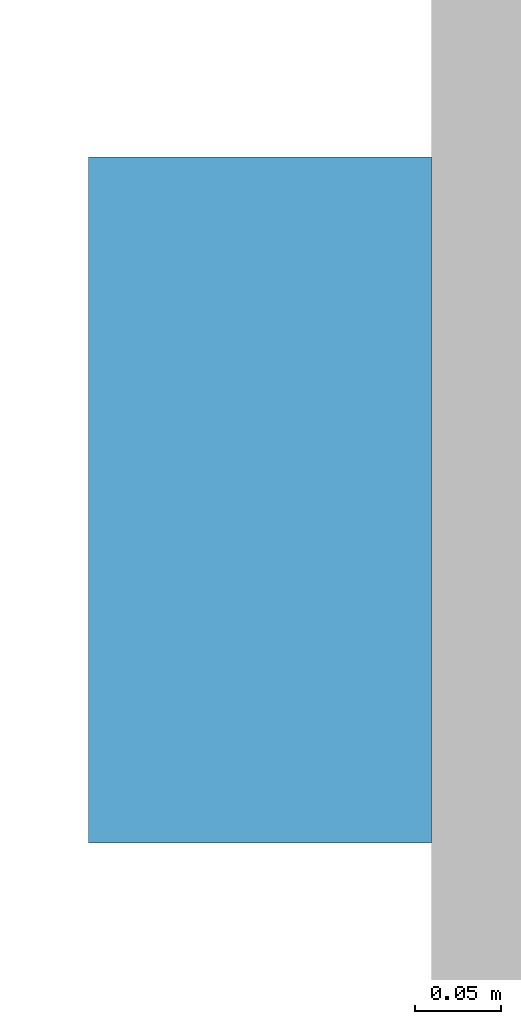
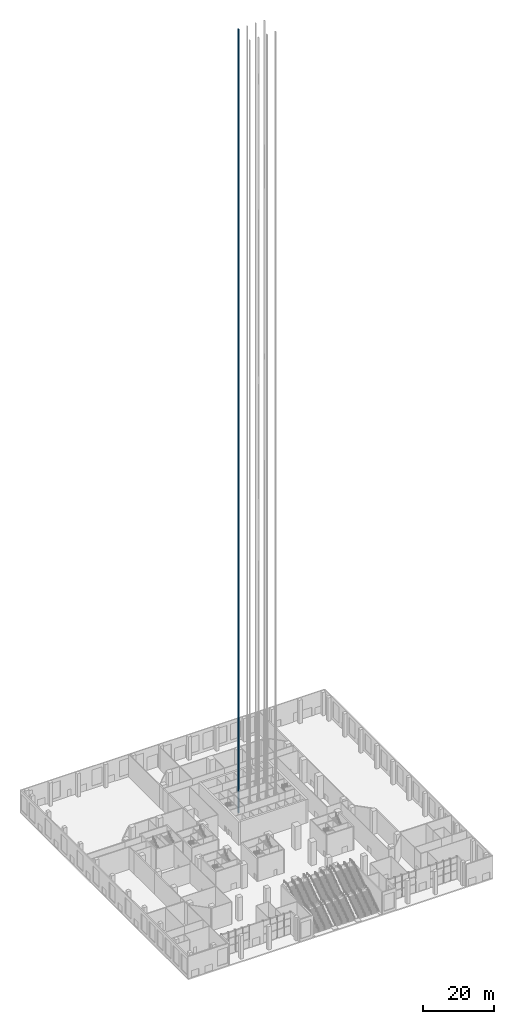
# One storey, part 23 of 32: 1 discrete accessory.
"""IFC4 building model written with IfcOpenShell, lengths in metres."""

from ifc_helpers import new_model, si_unit, direction, frame, origin, origin_2d, place, context, subcontext, project, spatial, rectangle, extrude, material, element, save


model = new_model("IFC4")

# Units and contexts
model_context = context("Model", 3, precision=1e-05, world=origin(), true_north=direction((0.0, 1.0)))
body_context = subcontext(model_context, "Body", "Model", "MODEL_VIEW")
ifc_project = project(units=[si_unit("LENGTHUNIT", "METRE"), si_unit("AREAUNIT", "SQUARE_METRE"), si_unit("VOLUMEUNIT", "CUBIC_METRE"), si_unit("PLANEANGLEUNIT", "RADIAN"), si_unit("MASSUNIT", "GRAM", prefix="KILO")], contexts=[model_context])

# Site, building, storey
site_placement = place(None, origin())
site = spatial("IfcSite", under=ifc_project, at=site_placement, CompositionType="ELEMENT")
building_placement = place(site_placement, origin())
building = spatial("IfcBuilding", under=site, at=building_placement, Name="Quoin Convention Tower", CompositionType="ELEMENT")
storey_placement = place(building_placement, origin())
storey = spatial("IfcBuildingStorey", under=building, at=storey_placement, Name="L00", CompositionType="ELEMENT", Elevation=0.0)

# Discrete accessory
ifc_material = material(Name="Galvanised steel", Category="steel")
discrete_accessory_placement = place(storey_placement, frame((53.25, 63.89990234375, -0.35009765625), z_axis=(0.0, 0.0, 1.0), x_axis=(1.0, 0.0, 0.0)))
element("IfcDiscreteAccessory", 1, at=discrete_accessory_placement, inside=storey, material=ifc_material, Name="LIFT GUIDE RAILS H5", ObjectType="Lift guide rails", PredefinedType="USERDEFINED", context=body_context, shape_type="SweptSolid", body=[
    extrude(rectangle(XDim=0.199951171875, YDim=0.39990234375, at=origin_2d()), origin(), (0.0, 0.0, 1.0), 268.800048828125),
])

save(model, "model.ifc")
